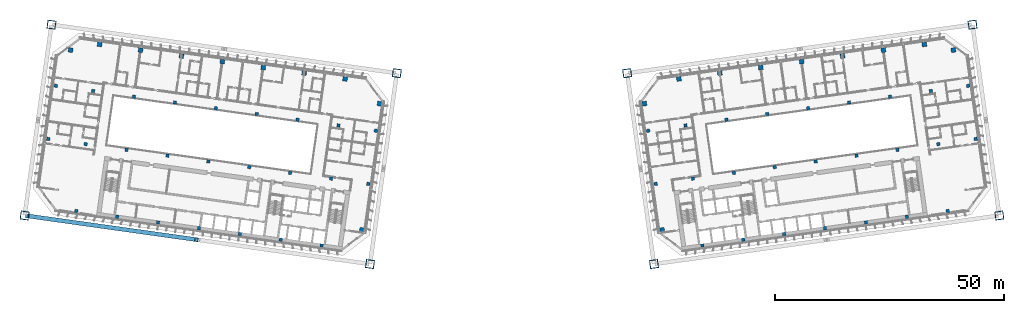
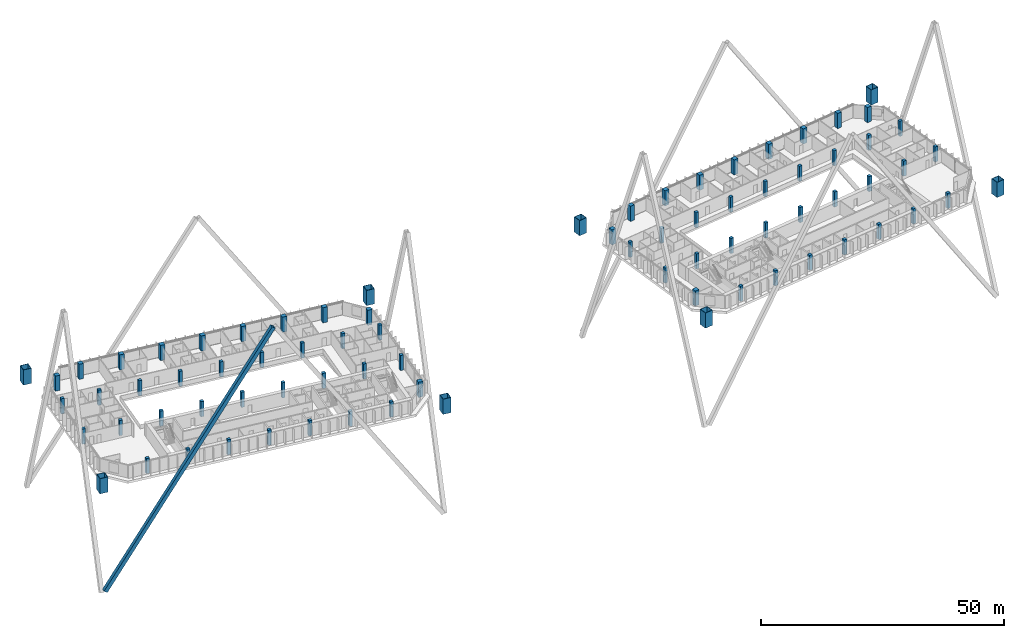
# One storey, part 1 of 49: 78 columns, 1 member.
"""IFC4 building model written with IfcOpenShell, lengths in metres."""

from ifc_helpers import new_model, si_unit, direction, frame, origin, origin_2d, place, context, subcontext, project, spatial, rectangle, hollow_rectangle, extrude, material, material_profile, profile_set, type_object, element, save


model = new_model("IFC4")

# Units and contexts
model_context = context("Model", 3, precision=1e-05, world=origin(), true_north=direction((0.0, 1.0)))
body_context = subcontext(model_context, "Body", "Model", "MODEL_VIEW")
ifc_project = project(units=[si_unit("LENGTHUNIT", "METRE"), si_unit("AREAUNIT", "SQUARE_METRE"), si_unit("VOLUMEUNIT", "CUBIC_METRE"), si_unit("PLANEANGLEUNIT", "RADIAN"), si_unit("MASSUNIT", "GRAM", prefix="KILO")], contexts=[model_context])

# Site, building, storey
site_placement = place(None, origin())
site = spatial("IfcSite", under=ifc_project, at=site_placement, CompositionType="ELEMENT")
building_placement = place(site_placement, origin())
building = spatial("IfcBuilding", under=site, at=building_placement, Name="Mirante Cascada Hotel Towers", CompositionType="ELEMENT")
storey_placement = place(building_placement, frame((0.0, 0.0, 66.1)))
storey = spatial("IfcBuildingStorey", under=building, at=storey_placement, Name="L13", CompositionType="ELEMENT", Elevation=66.1)

# Columns
ifc_material_1 = material(Name="Steel ASTM A572 Gr 50", Category="steel")
ifc_material_profile_1 = material_profile(ifc_material_1, hollow_rectangle(XDim=1.8, YDim=1.8, WallThickness=0.08, at=origin_2d()), Name="Box column 1800x1800x80 ASTM A572 Gr 50")
ifc_profile_set_1 = profile_set([ifc_material_profile_1], Name="Steel ASTM A572 Gr 50")
column_type_1 = type_object("IfcColumnType", Name="Box column 1800x1800x80 ASTM A572 Gr 50", PredefinedType="COLUMN", material=ifc_profile_set_1)
for number, where, z_axis, x_axis, name in (
    (1, (-25.0968, 18.5173, 0.0), (0.0, 0.0, 1.0), (-0.9902681, 0.1391731, 0.0), "Mega column MC1 T1 L13"),
    (2, (-30.9421, -23.074, 0.0), (0.0, 0.0, 1.0), (-0.9902681, 0.1391731, 0.0), "Mega column MC2 T1 L13"),
    (3, (-100.3572, 29.0944, 0.0), (0.0, 0.0, 1.0), (-0.9902681, 0.1391731, 0.0), "Mega column MC3 T1 L13"),
    (4, (-106.2025, -12.4968, 0.0), (0.0, 0.0, 1.0), (-0.9902681, 0.1391731, 0.0), "Mega column MC4 T1 L13"),
    (5, (25.0968, 18.5173, 0.0), (0.0, 0.0, 1.0), (0.9902681, 0.1391731, 0.0), "Mega column MC1 T2 L13"),
    (6, (30.9421, -23.074, 0.0), (0.0, 0.0, 1.0), (0.9902681, 0.1391731, 0.0), "Mega column MC2 T2 L13"),
    (7, (100.3572, 29.0944, 0.0), (0.0, 0.0, 1.0), (0.9902681, 0.1391731, 0.0), "Mega column MC3 T2 L13"),
    (8, (106.2025, -12.4968, 0.0), (0.0, 0.0, 1.0), (0.9902681, 0.1391731, 0.0), "Mega column MC4 T2 L13"),
):
    element("IfcColumn", number, at=place(storey_placement, frame(where, z_axis=z_axis, x_axis=x_axis)), inside=storey, type_object=column_type_1, Name=name, PredefinedType="COLUMN", context=body_context, shape_type="SweptSolid", body=[
        extrude(hollow_rectangle(XDim=1.8, YDim=1.8, WallThickness=0.08, at=origin_2d()), origin(), (0.0, 0.0, 1.0), 3.8),
    ])
ifc_material_2 = material(Name="Concrete C60/75", Category="concrete")
ifc_material_profile_2 = material_profile(ifc_material_2, rectangle(XDim=1.0, YDim=1.0, at=origin_2d()), Name="RC column 1000x1000 C60/75")
ifc_profile_set_2 = profile_set([ifc_material_profile_2], Name="Concrete C60/75")
column_type_2 = type_object("IfcColumnType", Name="RC column 1000x1000 C60/75", PredefinedType="COLUMN", material=ifc_profile_set_2)
for number, where, z_axis, x_axis, name in (
    (9, (-28.8577, 11.8761, 0.0), (0.0, 0.0, 1.0), (-0.9902681, 0.1391731, 0.0), "Column T1 L13 1"),
    (10, (-32.7267, -15.6534, 0.0), (0.0, 0.0, 1.0), (-0.9902681, 0.1391731, 0.0), "Column T1 L13 4"),
    (11, (-36.3795, 17.2754, 0.0), (0.0, 0.0, 1.0), (-0.9902681, 0.1391731, 0.0), "Column T1 L13 5"),
    (12, (-45.2919, 18.528, 0.0), (0.0, 0.0, 1.0), (-0.9902681, 0.1391731, 0.0), "Column T1 L13 9"),
    (13, (-54.2043, 19.7806, 0.0), (0.0, 0.0, 1.0), (-0.9902681, 0.1391731, 0.0), "Column T1 L13 13"),
    (14, (-63.1167, 21.0331, 0.0), (0.0, 0.0, 1.0), (-0.9902681, 0.1391731, 0.0), "Column T1 L13 17"),
    (15, (-72.0291, 22.2857, 0.0), (0.0, 0.0, 1.0), (-0.9902681, 0.1391731, 0.0), "Column T1 L13 21"),
    (16, (-80.9415, 23.5382, 0.0), (0.0, 0.0, 1.0), (-0.9902681, 0.1391731, 0.0), "Column T1 L13 25"),
    (17, (-89.8539, 24.7908, 0.0), (0.0, 0.0, 1.0), (-0.9902681, 0.1391731, 0.0), "Column T1 L13 29"),
    (18, (-96.1868, 23.5602, 0.0), (0.0, 0.0, 1.0), (-0.9902681, 0.1391731, 0.0), "Column T1 L13 33"),
    (19, (28.8577, 11.8761, 0.0), (0.0, 0.0, 1.0), (0.9902681, 0.1391731, 0.0), "Column T2 L13 1"),
    (20, (32.7267, -15.6534, 0.0), (0.0, 0.0, 1.0), (0.9902681, 0.1391731, 0.0), "Column T2 L13 4"),
    (21, (36.3795, 17.2754, 0.0), (0.0, 0.0, 1.0), (0.9902681, 0.1391731, 0.0), "Column T2 L13 5"),
    (22, (45.2919, 18.528, 0.0), (0.0, 0.0, 1.0), (0.9902681, 0.1391731, 0.0), "Column T2 L13 9"),
    (23, (54.2043, 19.7806, 0.0), (0.0, 0.0, 1.0), (0.9902681, 0.1391731, 0.0), "Column T2 L13 13"),
    (24, (63.1167, 21.0331, 0.0), (0.0, 0.0, 1.0), (0.9902681, 0.1391731, 0.0), "Column T2 L13 17"),
    (25, (72.0291, 22.2857, 0.0), (0.0, 0.0, 1.0), (0.9902681, 0.1391731, 0.0), "Column T2 L13 21"),
    (26, (80.9415, 23.5382, 0.0), (0.0, 0.0, 1.0), (0.9902681, 0.1391731, 0.0), "Column T2 L13 25"),
    (27, (89.8539, 24.7908, 0.0), (0.0, 0.0, 1.0), (0.9902681, 0.1391731, 0.0), "Column T2 L13 29"),
    (28, (96.1868, 23.5602, 0.0), (0.0, 0.0, 1.0), (0.9902681, 0.1391731, 0.0), "Column T2 L13 33"),
):
    element("IfcColumn", number, at=place(storey_placement, frame(where, z_axis=z_axis, x_axis=x_axis)), inside=storey, type_object=column_type_2, Name=name, PredefinedType="COLUMN", context=body_context, shape_type="SweptSolid", body=[
        extrude(rectangle(XDim=1.0, YDim=1.0, at=origin_2d()), origin(), (0.0, 0.0, 1.0), 3.8),
    ])
ifc_material_3 = material(Name="Concrete C60/75", Category="concrete")
ifc_material_profile_3 = material_profile(ifc_material_3, rectangle(XDim=0.7, YDim=0.7, at=origin_2d()), Name="RC column 700x700 C60/75")
ifc_profile_set_3 = profile_set([ifc_material_profile_3], Name="Concrete C60/75")
column_type_3 = type_object("IfcColumnType", Name="RC column 700x700 C60/75", PredefinedType="COLUMN", material=ifc_profile_set_3)
for number, where, z_axis, x_axis, name in (
    (29, (-29.6858, 5.984, 0.0), (0.0, 0.0, 1.0), (-0.9902681, 0.1391731, 0.0), "Column T1 L13 2"),
    (30, (-31.3141, -5.6022, 0.0), (0.0, 0.0, 1.0), (-0.9902681, 0.1391731, 0.0), "Column T1 L13 3"),
    (31, (-37.806, 7.1252, 0.0), (0.0, 0.0, 1.0), (-0.9902681, 0.1391731, 0.0), "Column T1 L13 6"),
    (32, (-39.4343, -4.4609, 0.0), (0.0, 0.0, 1.0), (-0.9902681, 0.1391731, 0.0), "Column T1 L13 7"),
    (33, (-41.4802, -19.0179, 0.0), (0.0, 0.0, 1.0), (-0.9902681, 0.1391731, 0.0), "Column T1 L13 8"),
    (34, (-46.7184, 8.3777, 0.0), (0.0, 0.0, 1.0), (-0.9902681, 0.1391731, 0.0), "Column T1 L13 10"),
    (35, (-48.3467, -3.2084, 0.0), (0.0, 0.0, 1.0), (-0.9902681, 0.1391731, 0.0), "Column T1 L13 11"),
    (36, (-50.3926, -17.7653, 0.0), (0.0, 0.0, 1.0), (-0.9902681, 0.1391731, 0.0), "Column T1 L13 12"),
    (37, (-55.6308, 9.6303, 0.0), (0.0, 0.0, 1.0), (-0.9902681, 0.1391731, 0.0), "Column T1 L13 14"),
    (38, (-57.2591, -1.9558, 0.0), (0.0, 0.0, 1.0), (-0.9902681, 0.1391731, 0.0), "Column T1 L13 15"),
    (39, (-59.305, -16.5128, 0.0), (0.0, 0.0, 1.0), (-0.9902681, 0.1391731, 0.0), "Column T1 L13 16"),
    (40, (-64.5432, 10.8829, 0.0), (0.0, 0.0, 1.0), (-0.9902681, 0.1391731, 0.0), "Column T1 L13 18"),
    (41, (-66.1716, -0.7033, 0.0), (0.0, 0.0, 1.0), (-0.9902681, 0.1391731, 0.0), "Column T1 L13 19"),
    (42, (-68.2174, -15.2602, 0.0), (0.0, 0.0, 1.0), (-0.9902681, 0.1391731, 0.0), "Column T1 L13 20"),
    (43, (-73.4556, 12.1354, 0.0), (0.0, 0.0, 1.0), (-0.9902681, 0.1391731, 0.0), "Column T1 L13 22"),
    (44, (-75.084, 0.5493, 0.0), (0.0, 0.0, 1.0), (-0.9902681, 0.1391731, 0.0), "Column T1 L13 23"),
    (45, (-77.1298, -14.0077, 0.0), (0.0, 0.0, 1.0), (-0.9902681, 0.1391731, 0.0), "Column T1 L13 24"),
    (46, (-82.368, 13.388, 0.0), (0.0, 0.0, 1.0), (-0.9902681, 0.1391731, 0.0), "Column T1 L13 26"),
    (47, (-83.9964, 1.8018, 0.0), (0.0, 0.0, 1.0), (-0.9902681, 0.1391731, 0.0), "Column T1 L13 27"),
    (48, (-86.0422, -12.7551, 0.0), (0.0, 0.0, 1.0), (-0.9902681, 0.1391731, 0.0), "Column T1 L13 28"),
    (49, (-91.2805, 14.6405, 0.0), (0.0, 0.0, 1.0), (-0.9902681, 0.1391731, 0.0), "Column T1 L13 30"),
    (50, (-92.9088, 3.0544, 0.0), (0.0, 0.0, 1.0), (-0.9902681, 0.1391731, 0.0), "Column T1 L13 31"),
    (51, (-94.9546, -11.5025, 0.0), (0.0, 0.0, 1.0), (-0.9902681, 0.1391731, 0.0), "Column T1 L13 32"),
    (52, (-99.4007, 15.7818, 0.0), (0.0, 0.0, 1.0), (-0.9902681, 0.1391731, 0.0), "Column T1 L13 34"),
    (53, (-101.029, 4.1956, 0.0), (0.0, 0.0, 1.0), (-0.9902681, 0.1391731, 0.0), "Column T1 L13 35"),
    (54, (29.6858, 5.984, 0.0), (0.0, 0.0, 1.0), (0.9902681, 0.1391731, 0.0), "Column T2 L13 2"),
    (55, (31.3141, -5.6022, 0.0), (0.0, 0.0, 1.0), (0.9902681, 0.1391731, 0.0), "Column T2 L13 3"),
    (56, (37.806, 7.1252, 0.0), (0.0, 0.0, 1.0), (0.9902681, 0.1391731, 0.0), "Column T2 L13 6"),
    (57, (39.4343, -4.4609, 0.0), (0.0, 0.0, 1.0), (0.9902681, 0.1391731, 0.0), "Column T2 L13 7"),
    (58, (41.4802, -19.0179, 0.0), (0.0, 0.0, 1.0), (0.9902681, 0.1391731, 0.0), "Column T2 L13 8"),
    (59, (46.7184, 8.3777, 0.0), (0.0, 0.0, 1.0), (0.9902681, 0.1391731, 0.0), "Column T2 L13 10"),
    (60, (48.3467, -3.2084, 0.0), (0.0, 0.0, 1.0), (0.9902681, 0.1391731, 0.0), "Column T2 L13 11"),
    (61, (50.3926, -17.7653, 0.0), (0.0, 0.0, 1.0), (0.9902681, 0.1391731, 0.0), "Column T2 L13 12"),
    (62, (55.6308, 9.6303, 0.0), (0.0, 0.0, 1.0), (0.9902681, 0.1391731, 0.0), "Column T2 L13 14"),
    (63, (57.2591, -1.9558, 0.0), (0.0, 0.0, 1.0), (0.9902681, 0.1391731, 0.0), "Column T2 L13 15"),
    (64, (59.305, -16.5128, 0.0), (0.0, 0.0, 1.0), (0.9902681, 0.1391731, 0.0), "Column T2 L13 16"),
    (65, (64.5432, 10.8829, 0.0), (0.0, 0.0, 1.0), (0.9902681, 0.1391731, 0.0), "Column T2 L13 18"),
    (66, (66.1716, -0.7033, 0.0), (0.0, 0.0, 1.0), (0.9902681, 0.1391731, 0.0), "Column T2 L13 19"),
    (67, (68.2174, -15.2602, 0.0), (0.0, 0.0, 1.0), (0.9902681, 0.1391731, 0.0), "Column T2 L13 20"),
    (68, (73.4556, 12.1354, 0.0), (0.0, 0.0, 1.0), (0.9902681, 0.1391731, 0.0), "Column T2 L13 22"),
    (69, (75.084, 0.5493, 0.0), (0.0, 0.0, 1.0), (0.9902681, 0.1391731, 0.0), "Column T2 L13 23"),
    (70, (77.1298, -14.0077, 0.0), (0.0, 0.0, 1.0), (0.9902681, 0.1391731, 0.0), "Column T2 L13 24"),
    (71, (82.368, 13.388, 0.0), (0.0, 0.0, 1.0), (0.9902681, 0.1391731, 0.0), "Column T2 L13 26"),
    (72, (83.9964, 1.8018, 0.0), (0.0, 0.0, 1.0), (0.9902681, 0.1391731, 0.0), "Column T2 L13 27"),
    (73, (86.0422, -12.7551, 0.0), (0.0, 0.0, 1.0), (0.9902681, 0.1391731, 0.0), "Column T2 L13 28"),
    (74, (91.2805, 14.6405, 0.0), (0.0, 0.0, 1.0), (0.9902681, 0.1391731, 0.0), "Column T2 L13 30"),
    (75, (92.9088, 3.0544, 0.0), (0.0, 0.0, 1.0), (0.9902681, 0.1391731, 0.0), "Column T2 L13 31"),
    (76, (94.9546, -11.5025, 0.0), (0.0, 0.0, 1.0), (0.9902681, 0.1391731, 0.0), "Column T2 L13 32"),
    (77, (99.4007, 15.7818, 0.0), (0.0, 0.0, 1.0), (0.9902681, 0.1391731, 0.0), "Column T2 L13 34"),
    (78, (101.029, 4.1956, 0.0), (0.0, 0.0, 1.0), (0.9902681, 0.1391731, 0.0), "Column T2 L13 35"),
):
    element("IfcColumn", number, at=place(storey_placement, frame(where, z_axis=z_axis, x_axis=x_axis)), inside=storey, type_object=column_type_3, Name=name, PredefinedType="COLUMN", context=body_context, shape_type="SweptSolid", body=[
        extrude(rectangle(XDim=0.7, YDim=0.7, at=origin_2d()), origin(), (0.0, 0.0, 1.0), 3.8),
    ])

# Member
ifc_material_4 = material(Name="Steel ASTM A572 Gr 50", Category="steel")
ifc_material_profile_4 = material_profile(ifc_material_4, hollow_rectangle(XDim=0.9, YDim=0.9, WallThickness=0.045, at=origin_2d()), Name="Box brace 900x900x45 ASTM A572 Gr 50")
ifc_profile_set_4 = profile_set([ifc_material_profile_4], Name="Steel ASTM A572 Gr 50")
member_type = type_object("IfcMemberType", Name="Box brace 900x900x45 ASTM A572 Gr 50", PredefinedType="BRACE", material=ifc_profile_set_4)
member_placement = place(storey_placement, frame((-105.6339, -12.5767, -25.2549), z_axis=(0.5445943, -0.0765389, 0.8351999), x_axis=(0.1391752, 0.9902678, 0.0)))
element("IfcMember", 79, at=member_placement, inside=storey, type_object=member_type, Name="brace T1 L13 4", PredefinedType="BRACE", context=body_context, shape_type="SweptSolid", body=[
    extrude(hollow_rectangle(XDim=0.9, YDim=0.9, WallThickness=0.045, at=origin_2d()), origin(), (0.0, 0.0, 1.0), 67.7172),
])

save(model, "model.ifc")
